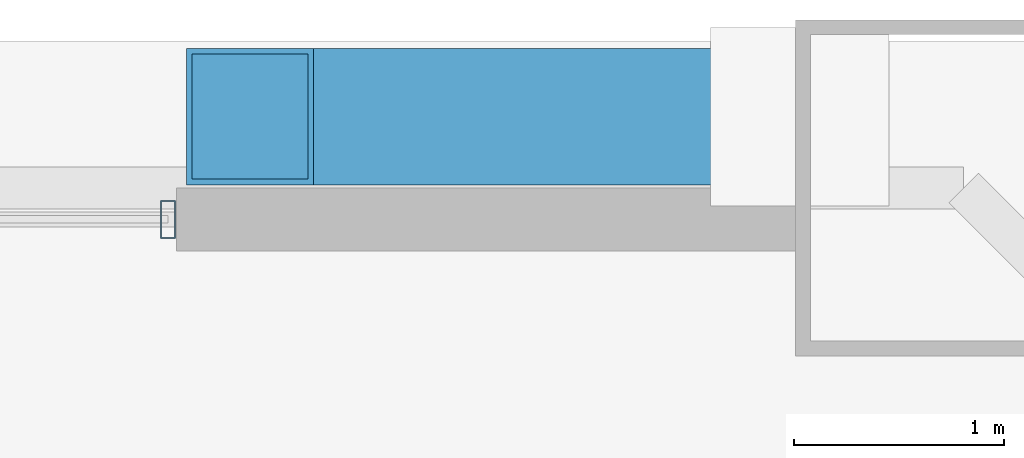
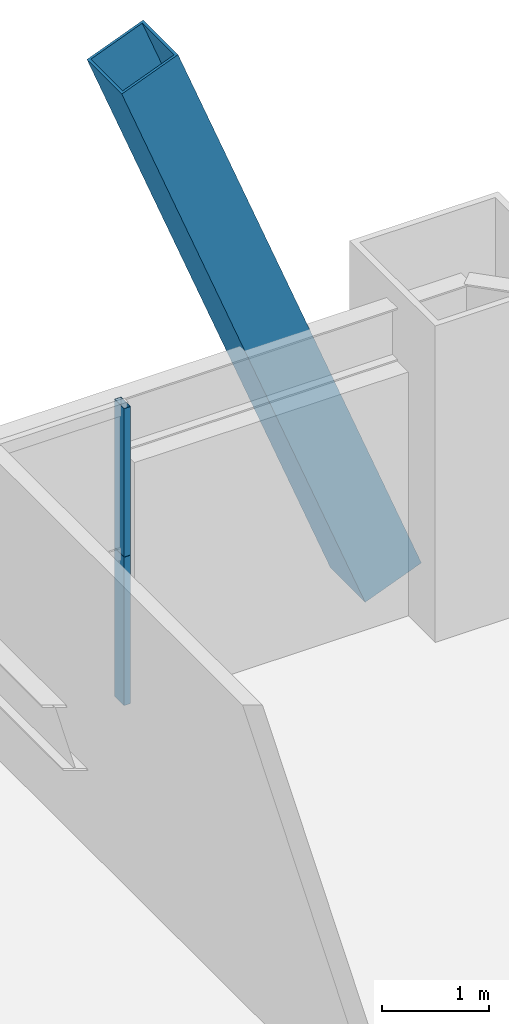
# One storey, part 36 of 43: 3 members, 1 element without a shape of its own.
"""IFC4 building model written with IfcOpenShell, lengths in metres."""

import ifcopenshell
import ifcopenshell.guid

model = None  # the IFC model being written
_history = None  # IfcOwnerHistory: only IFC2X3 demands one
_inside = {}  # id of a spatial element -> (the spatial element, [elements in it])
_under = {}  # id of a project, library or spatial element -> (it, [spatial elements below it])
_declared = {}  # id of a project -> (the project, [libraries it declares])
_typed = {}  # id of a type object -> (the type object, [elements of that type])
_made_of = {}  # id of a material, layer set ... -> (it, [elements and type objects made of it])


def new_model(schema):
    """Start an empty IFC model of exactly this schema.

    Asked for "IFC4X3", IfcOpenShell would pick the latest addendum, in which some entities
    have other attributes; the version numbers below select the first issue.
    IFC2X3 requires an IfcOwnerHistory on every rooted entity: one is made here for all.
    """
    global model, _history
    if schema == "IFC4X3":
        model = ifcopenshell.file(schema_version=(4, 3, 0, 0))
    else:
        model = ifcopenshell.file(schema=schema)
    _inside.clear()
    _under.clear()
    _declared.clear()
    _typed.clear()
    _made_of.clear()
    _history = None
    if model.schema == "IFC2X3":
        org = make("IfcOrganization", Name="unknown")
        user = make(
            "IfcPersonAndOrganization",
            ThePerson=make("IfcPerson", FamilyName="unknown"),
            TheOrganization=org,
        )
        app = make(
            "IfcApplication",
            ApplicationDeveloper=org,
            Version="unknown",
            ApplicationFullName="unknown",
            ApplicationIdentifier="unknown",
        )
        _history = make(
            "IfcOwnerHistory",
            OwningUser=user,
            OwningApplication=app,
            ChangeAction="ADDED",
            CreationDate=0,
        )
    return model


def make(cls, **values):
    """One entity of the class cls with the attributes given. An attribute that is None is left unset."""
    return model.create_entity(
        cls, **{name: value for name, value in values.items() if value is not None}
    )


def rooted(cls, **values):
    """An entity with a GlobalId (a new one), such as an element, a storey or a relation."""
    return make(cls, GlobalId=ifcopenshell.guid.new(), OwnerHistory=_history, **values)


def si_unit(unit_type, name, prefix=None):
    """IfcSIUnit, for example si_unit("LENGTHUNIT", "METRE", prefix="MILLI")."""
    return make("IfcSIUnit", UnitType=unit_type, Prefix=prefix, Name=name)


def assignment(units):
    """IfcUnitAssignment: the units of a project."""
    return None if units is None else make("IfcUnitAssignment", Units=units)


def point(xyz):
    """IfcCartesianPoint."""
    return None if xyz is None else make("IfcCartesianPoint", Coordinates=xyz)


def direction(xyz):
    """IfcDirection."""
    return None if xyz is None else make("IfcDirection", DirectionRatios=xyz)


def frame(location, z_axis=None, x_axis=None):
    """IfcAxis2Placement3D, a coordinate frame: its origin and axes. An axis left out is left unset."""
    return make(
        "IfcAxis2Placement3D",
        Location=point(location),
        Axis=direction(z_axis),
        RefDirection=direction(x_axis),
    )


def frame_2d(location, x_axis=None):
    """IfcAxis2Placement2D, a coordinate frame in the plane: its origin and x axis."""
    return make(
        "IfcAxis2Placement2D", Location=point(location), RefDirection=direction(x_axis)
    )


def origin():
    """The frame at (0, 0, 0) with its axes left unset."""
    return frame((0.0, 0.0, 0.0))


def origin_2d():
    """The frame at (0, 0) in the plane with its x axis left unset."""
    return frame_2d((0.0, 0.0))


def place(relative_to, where):
    """IfcLocalPlacement: puts the frame where relative to a parent placement (None: the world)."""
    return make(
        "IfcLocalPlacement", PlacementRelTo=relative_to, RelativePlacement=where
    )


def context(
    kind, dimensions, precision=None, world=None, true_north=None, identifier=None
):
    """IfcGeometricRepresentationContext, for example the 3D "Model" context."""
    return make(
        "IfcGeometricRepresentationContext",
        ContextIdentifier=identifier,
        ContextType=kind,
        CoordinateSpaceDimension=dimensions,
        Precision=precision,
        WorldCoordinateSystem=world,
        TrueNorth=true_north,
    )


def subcontext(parent, identifier, kind, view, scale=None):
    """IfcGeometricRepresentationSubContext, for example "Body" below "Model"."""
    return make(
        "IfcGeometricRepresentationSubContext",
        ContextIdentifier=identifier,
        ContextType=kind,
        ParentContext=parent,
        TargetScale=scale,
        TargetView=view,
    )


def project(units=None, contexts=None):
    """IfcProject with its units and contexts."""
    return rooted(
        "IfcProject",
        Name="project",
        RepresentationContexts=contexts,
        UnitsInContext=assignment(units),
    )


def spatial(cls, under=None, at=None, **own):
    """A site, building, storey or space (cls), placed at a placement, below another one or the project."""
    s = rooted(cls, ObjectPlacement=at, **own)
    if under is not None:
        _under.setdefault(under.id(), (under, []))[1].append(s)
    return s


def profile(cls, at=None, kind="AREA", **sizes):
    """A parametric profile (cls). Its sizes go by their IFC names, for example OverallWidth=200.0."""
    return make(cls, ProfileType=kind, Position=at, **sizes)


def hollow_rectangle(**sizes):
    """IfcRectangleHollowProfileDef."""
    return profile("IfcRectangleHollowProfileDef", **sizes)


def extrude(swept, where, along, depth):
    """IfcExtrudedAreaSolid: the profile swept, set in the frame where, extruded along a direction by depth."""
    return make(
        "IfcExtrudedAreaSolid",
        SweptArea=swept,
        Position=where,
        ExtrudedDirection=direction(along),
        Depth=depth,
    )


def shape(context_of_items, identifier, shape_type, items):
    """IfcShapeRepresentation: the items that make up one representation, for example the "Body"."""
    return make(
        "IfcShapeRepresentation",
        ContextOfItems=context_of_items,
        RepresentationIdentifier=identifier,
        RepresentationType=shape_type,
        Items=items,
    )


def source(mapping_origin, context_of_items, identifier, shape_type, items):
    """IfcRepresentationMap: a shape defined once, which mapped items show again and again."""
    return make(
        "IfcRepresentationMap",
        MappingOrigin=mapping_origin,
        MappedRepresentation=shape(context_of_items, identifier, shape_type, items),
    )


def transform(
    local_origin,
    x_axis=None,
    y_axis=None,
    z_axis=None,
    scale=None,
    scale2=None,
    scale3=None,
    uniform=True,
):
    """IfcCartesianTransformationOperator3D, or its non-uniform kind. x_axis, y_axis, z_axis: its Axis1, 2, 3."""
    if uniform:
        return make(
            "IfcCartesianTransformationOperator3D",
            Axis1=direction(x_axis),
            Axis2=direction(y_axis),
            LocalOrigin=point(local_origin),
            Scale=scale,
            Axis3=direction(z_axis),
        )
    return make(
        "IfcCartesianTransformationOperator3DnonUniform",
        Axis1=direction(x_axis),
        Axis2=direction(y_axis),
        LocalOrigin=point(local_origin),
        Scale=scale,
        Axis3=direction(z_axis),
        Scale2=scale2,
        Scale3=scale3,
    )


def mapped(mapping_source, mapping_target):
    """IfcMappedItem: shows the shape of a source again, moved by a transform."""
    return make(
        "IfcMappedItem", MappingSource=mapping_source, MappingTarget=mapping_target
    )


def material(Name=None, Category=None):
    """IfcMaterial."""
    return make("IfcMaterial", Name=Name, Category=Category)


def layer(
    of_material, thickness, ventilated=None, Name=None, Category=None, Priority=None
):
    """IfcMaterialLayer: one layer of a wall or slab, of a material (None: an air gap)."""
    return make(
        "IfcMaterialLayer",
        Material=of_material,
        LayerThickness=thickness,
        IsVentilated=ventilated,
        Name=Name,
        Category=Category,
        Priority=Priority,
    )


def layer_set(layers, Name=None):
    """IfcMaterialLayerSet."""
    return make("IfcMaterialLayerSet", MaterialLayers=layers, LayerSetName=Name)


def material_profile(
    of_material, cross_section, Name=None, Category=None, Priority=None
):
    """IfcMaterialProfile: a cross section and its material."""
    return make(
        "IfcMaterialProfile",
        Name=Name,
        Material=of_material,
        Profile=cross_section,
        Priority=Priority,
        Category=Category,
    )


def profile_set(profiles, Name=None, composite=None):
    """IfcMaterialProfileSet."""
    return make(
        "IfcMaterialProfileSet",
        Name=Name,
        MaterialProfiles=profiles,
        CompositeProfile=composite,
    )


def made_of(thing, what):
    """Note that an element or type object is made of a material, layer set ...; save() writes the relation."""
    if what is not None:
        _made_of.setdefault(what.id(), (what, []))[1].append(thing)
    return thing


def type_object(cls, material=None, **own):
    """A type object (cls), such as IfcWallType, which elements share."""
    return made_of(rooted(cls, **own), material)


def element(
    cls,
    number,
    at=None,
    inside=None,
    cuts=None,
    type_object=None,
    material=None,
    context=None,
    identifier="Body",
    shape_type=None,
    held_by="IfcProductDefinitionShape",
    body=None,
    shapes=None,
    **own,
):
    """One element of the class cls, such as IfcWall. Its Tag is "e" and its number.

    at: its placement. inside: the storey or other place that contains it. cuts: it is an
    opening in that element (IfcRelVoidsElement). A single representation is given by context,
    identifier, shape_type and body (its items); several are given by shapes. held_by: the class
    of the entity that holds the representations. save() writes the other relations.
    """
    e = rooted(cls, Tag="e%d" % number, ObjectPlacement=at, **own)
    if body is not None:
        shapes = [shape(context, identifier, shape_type, body)]
    if shapes is not None:
        e.Representation = make(held_by, Representations=shapes)
    if inside is not None:
        _inside.setdefault(inside.id(), (inside, []))[1].append(e)
    if cuts is not None:
        rooted(
            "IfcRelVoidsElement", RelatingBuildingElement=cuts, RelatedOpeningElement=e
        )
    if type_object is not None:
        _typed.setdefault(type_object.id(), (type_object, []))[1].append(e)
    return made_of(e, material)


def aggregate(whole, parts):
    """IfcRelAggregates: a whole, such as a stair, and the parts it consists of."""
    return rooted("IfcRelAggregates", RelatingObject=whole, RelatedObjects=parts)


def save(model, path):
    """Write the relations noted so far, then the file.

    IfcRelAggregates (storeys below a building ...), IfcRelContainedInSpatialStructure (elements
    in a storey), IfcRelDefinesByType, IfcRelAssociatesMaterial and IfcRelDeclares: one each for
    every whole, place, type object, material and project.
    """
    for whole, parts in _under.values():
        aggregate(whole, parts)
    for where, things in _inside.values():
        rooted(
            "IfcRelContainedInSpatialStructure",
            RelatedElements=things,
            RelatingStructure=where,
        )
    for kind, things in _typed.values():
        rooted("IfcRelDefinesByType", RelatedObjects=things, RelatingType=kind)
    for what, things in _made_of.values():
        rooted("IfcRelAssociatesMaterial", RelatedObjects=things, RelatingMaterial=what)
    for by, libraries in _declared.values():
        rooted("IfcRelDeclares", RelatingContext=by, RelatedDefinitions=libraries)
    model.write(path)


model = new_model("IFC4")

# Units and contexts
model_context = context("Model", 3, precision=1e-05, world=origin(), true_north=direction((0.0, 1.0)))
body_context = subcontext(model_context, "Body", "Model", "MODEL_VIEW")
ifc_project = project(units=[si_unit("LENGTHUNIT", "METRE"), si_unit("AREAUNIT", "SQUARE_METRE"), si_unit("VOLUMEUNIT", "CUBIC_METRE"), si_unit("PLANEANGLEUNIT", "RADIAN"), si_unit("MASSUNIT", "GRAM", prefix="KILO"), si_unit("THERMODYNAMICTEMPERATUREUNIT", "KELVIN"), si_unit("POWERUNIT", "WATT")], contexts=[model_context])

# Site, building, storey
site_placement = place(None, origin())
site = spatial("IfcSite", under=ifc_project, at=site_placement, CompositionType="ELEMENT")
building_placement = place(site_placement, origin())
building = spatial("IfcBuilding", under=site, at=building_placement, Name="Yuzanri Waterfront Tower", CompositionType="ELEMENT")
storey_placement = place(building_placement, frame((0.0, 0.0, 93.800048828125)))
storey = spatial("IfcBuildingStorey", under=building, at=storey_placement, Name="L24", CompositionType="ELEMENT", Elevation=93.800048828125)

# Member
ifc_material_1 = material(Name="Steel Q420GJC", Category="steel")
ifc_material_profile_1 = material_profile(ifc_material_1, hollow_rectangle(XDim=0.64990234375, YDim=0.64990234375, WallThickness=0.028076171875, at=origin_2d()), Name="RHS 650x650x28")
ifc_profile_set_1 = profile_set([ifc_material_profile_1], Name="Steel Q420GJC")
member_type_1 = type_object("IfcMemberType", Name="Mega Brace Lower Q420GJC RHS 650x650x28", PredefinedType="BRACE", material=ifc_profile_set_1)
shared_shape_1 = source(origin(), body_context, "Body", "SweptSolid", [
    extrude(hollow_rectangle(XDim=0.64990234375, YDim=0.64990234375, WallThickness=0.028076171875, at=origin_2d()), origin(), (0.0, 0.0, 1.0), 7.19384765625),
])
member_1_placement = place(storey_placement, frame((56.219970703125, 49.739990234375, 0.179931640625), z_axis=(-0.36417668996, 0.0, 0.9313298763), x_axis=(0.0, -1.0, 0.0)))
element("IfcMember", 1, at=member_1_placement, inside=storey, type_object=member_type_1, Name="L24-L25 Perimeter Mega-Brace N-R", PredefinedType="BRACE", context=body_context, shape_type="MappedRepresentation", body=[
    mapped(shared_shape_1, transform((0.0, 0.0, 0.0), scale=1.0)),
])

# Curtain wall, members
ifc_material_2 = material(Name="Anodized Architectural Bronze", Category="metal")
ifc_layer = layer(ifc_material_2, 0.159912109375)
ifc_layer_set = layer_set([ifc_layer], Name="Anodized Architectural Bronze")
curtain_wall_type = type_object("IfcCurtainWallType", Name="Anodized Bronze Hotel Upper-Tier Solar-Control Unitized Curtain Wall 7800", PredefinedType="NOTDEFINED", material=ifc_layer_set)
curtain_wall_placement = place(storey_placement, origin())
curtain_wall = element("IfcCurtainWall", 2, at=curtain_wall_placement, inside=storey, type_object=curtain_wall_type, Name="L24 Curtain Wall CW-L24-NR", PredefinedType="NOTDEFINED")
ifc_material_3 = material(Name="Anodized Architectural Bronze", Category="metal")
ifc_material_profile_2 = material_profile(ifc_material_3, hollow_rectangle(XDim=0.070068359375, YDim=0.179931640625, WallThickness=0.00390625, at=origin_2d()), Name="CWM 70x180")
ifc_profile_set_2 = profile_set([ifc_material_profile_2], Name="Anodized Architectural Bronze")
member_type_2 = type_object("IfcMemberType", Name="Anodized Bronze Standard Curtain-Wall Mullion 70x180", PredefinedType="MULLION", material=ifc_profile_set_2)
shared_shape_2 = source(origin(), body_context, "Body", "SweptSolid", [
    extrude(hollow_rectangle(XDim=0.070068359375, YDim=0.179931640625, WallThickness=0.00390625, at=origin_2d()), origin(), (0.0, 0.0, 1.0), 1.68798828125),
])
member_2_placement = place(storey_placement, frame((53.2099609375, 49.25, 0.0), z_axis=(0.0, 0.0, 1.0), x_axis=(1.0, 0.0, 0.0)))
member_2 = element("IfcMember", 3, at=member_2_placement, type_object=member_type_2, Name="CW-L24-NR Lower Mullion 02", PredefinedType="MULLION", context=body_context, shape_type="MappedRepresentation", body=[
    mapped(shared_shape_2, transform((0.0, 0.0, 0.0), scale=1.0)),
])
member_3_placement = place(storey_placement, frame((53.2099609375, 49.25, 1.69189453125), z_axis=(0.0, 0.0, 1.0), x_axis=(1.0, 0.0, 0.0)))
member_3 = element("IfcMember", 4, at=member_3_placement, type_object=member_type_2, Name="CW-L24-NR Upper Mullion 02", PredefinedType="MULLION", context=body_context, shape_type="MappedRepresentation", body=[
    mapped(shared_shape_2, transform((0.0, 0.0, 0.0), scale=1.0)),
])
aggregate(curtain_wall, [member_2, member_3])

save(model, "model.ifc")
